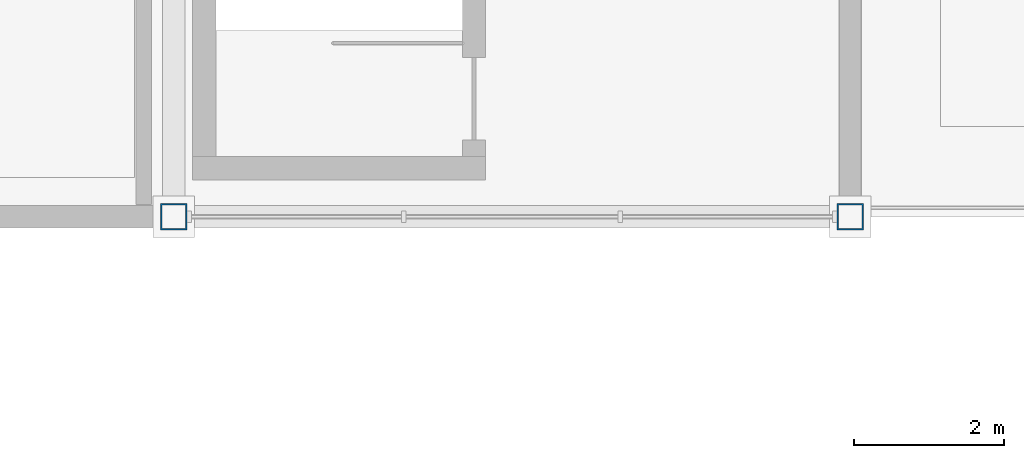
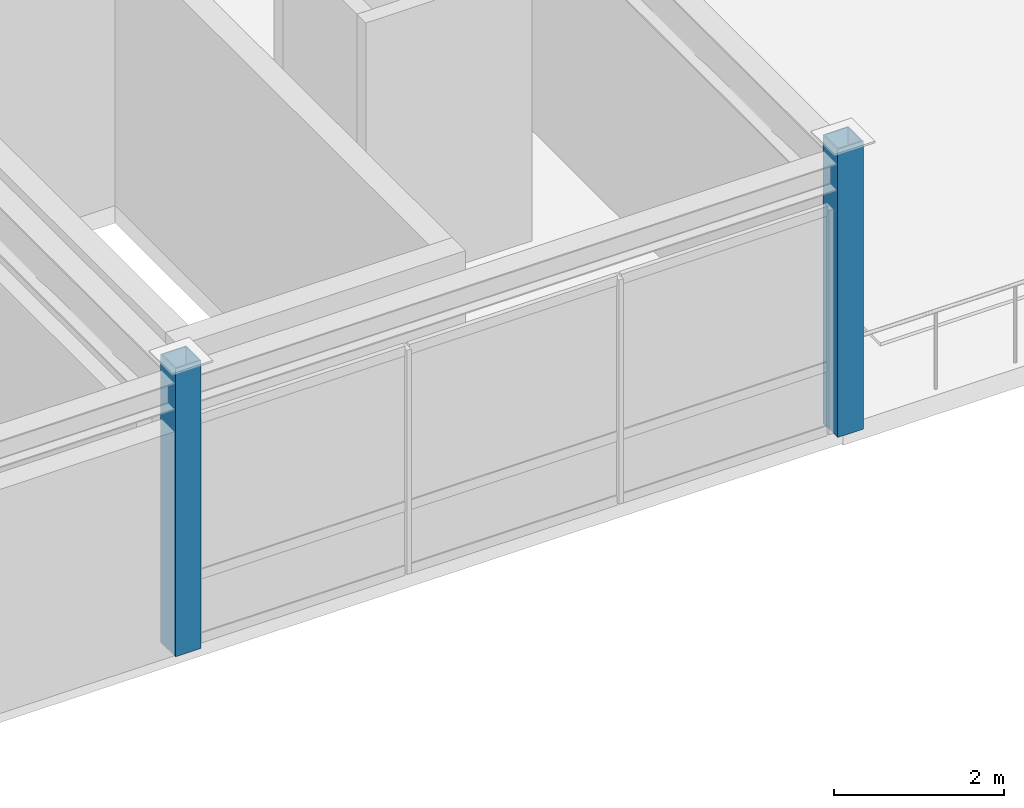
# One storey, part 2 of 40: 2 columns.
"""IFC4 building model written with IfcOpenShell, lengths in metres."""

import ifcopenshell
import ifcopenshell.guid

model = None  # the IFC model being written
_history = None  # IfcOwnerHistory: only IFC2X3 demands one
_inside = {}  # id of a spatial element -> (the spatial element, [elements in it])
_under = {}  # id of a project, library or spatial element -> (it, [spatial elements below it])
_declared = {}  # id of a project -> (the project, [libraries it declares])
_typed = {}  # id of a type object -> (the type object, [elements of that type])
_made_of = {}  # id of a material, layer set ... -> (it, [elements and type objects made of it])


def new_model(schema):
    """Start an empty IFC model of exactly this schema.

    Asked for "IFC4X3", IfcOpenShell would pick the latest addendum, in which some entities
    have other attributes; the version numbers below select the first issue.
    IFC2X3 requires an IfcOwnerHistory on every rooted entity: one is made here for all.
    """
    global model, _history
    if schema == "IFC4X3":
        model = ifcopenshell.file(schema_version=(4, 3, 0, 0))
    else:
        model = ifcopenshell.file(schema=schema)
    _inside.clear()
    _under.clear()
    _declared.clear()
    _typed.clear()
    _made_of.clear()
    _history = None
    if model.schema == "IFC2X3":
        org = make("IfcOrganization", Name="unknown")
        user = make(
            "IfcPersonAndOrganization",
            ThePerson=make("IfcPerson", FamilyName="unknown"),
            TheOrganization=org,
        )
        app = make(
            "IfcApplication",
            ApplicationDeveloper=org,
            Version="unknown",
            ApplicationFullName="unknown",
            ApplicationIdentifier="unknown",
        )
        _history = make(
            "IfcOwnerHistory",
            OwningUser=user,
            OwningApplication=app,
            ChangeAction="ADDED",
            CreationDate=0,
        )
    return model


def make(cls, **values):
    """One entity of the class cls with the attributes given. An attribute that is None is left unset."""
    return model.create_entity(
        cls, **{name: value for name, value in values.items() if value is not None}
    )


def rooted(cls, **values):
    """An entity with a GlobalId (a new one), such as an element, a storey or a relation."""
    return make(cls, GlobalId=ifcopenshell.guid.new(), OwnerHistory=_history, **values)


def si_unit(unit_type, name, prefix=None):
    """IfcSIUnit, for example si_unit("LENGTHUNIT", "METRE", prefix="MILLI")."""
    return make("IfcSIUnit", UnitType=unit_type, Prefix=prefix, Name=name)


def assignment(units):
    """IfcUnitAssignment: the units of a project."""
    return None if units is None else make("IfcUnitAssignment", Units=units)


def point(xyz):
    """IfcCartesianPoint."""
    return None if xyz is None else make("IfcCartesianPoint", Coordinates=xyz)


def direction(xyz):
    """IfcDirection."""
    return None if xyz is None else make("IfcDirection", DirectionRatios=xyz)


def frame(location, z_axis=None, x_axis=None):
    """IfcAxis2Placement3D, a coordinate frame: its origin and axes. An axis left out is left unset."""
    return make(
        "IfcAxis2Placement3D",
        Location=point(location),
        Axis=direction(z_axis),
        RefDirection=direction(x_axis),
    )


def frame_2d(location, x_axis=None):
    """IfcAxis2Placement2D, a coordinate frame in the plane: its origin and x axis."""
    return make(
        "IfcAxis2Placement2D", Location=point(location), RefDirection=direction(x_axis)
    )


def origin():
    """The frame at (0, 0, 0) with its axes left unset."""
    return frame((0.0, 0.0, 0.0))


def origin_2d():
    """The frame at (0, 0) in the plane with its x axis left unset."""
    return frame_2d((0.0, 0.0))


def place(relative_to, where):
    """IfcLocalPlacement: puts the frame where relative to a parent placement (None: the world)."""
    return make(
        "IfcLocalPlacement", PlacementRelTo=relative_to, RelativePlacement=where
    )


def context(
    kind, dimensions, precision=None, world=None, true_north=None, identifier=None
):
    """IfcGeometricRepresentationContext, for example the 3D "Model" context."""
    return make(
        "IfcGeometricRepresentationContext",
        ContextIdentifier=identifier,
        ContextType=kind,
        CoordinateSpaceDimension=dimensions,
        Precision=precision,
        WorldCoordinateSystem=world,
        TrueNorth=true_north,
    )


def subcontext(parent, identifier, kind, view, scale=None):
    """IfcGeometricRepresentationSubContext, for example "Body" below "Model"."""
    return make(
        "IfcGeometricRepresentationSubContext",
        ContextIdentifier=identifier,
        ContextType=kind,
        ParentContext=parent,
        TargetScale=scale,
        TargetView=view,
    )


def project(units=None, contexts=None):
    """IfcProject with its units and contexts."""
    return rooted(
        "IfcProject",
        Name="project",
        RepresentationContexts=contexts,
        UnitsInContext=assignment(units),
    )


def spatial(cls, under=None, at=None, **own):
    """A site, building, storey or space (cls), placed at a placement, below another one or the project."""
    s = rooted(cls, ObjectPlacement=at, **own)
    if under is not None:
        _under.setdefault(under.id(), (under, []))[1].append(s)
    return s


def profile(cls, at=None, kind="AREA", **sizes):
    """A parametric profile (cls). Its sizes go by their IFC names, for example OverallWidth=200.0."""
    return make(cls, ProfileType=kind, Position=at, **sizes)


def hollow_rectangle(**sizes):
    """IfcRectangleHollowProfileDef."""
    return profile("IfcRectangleHollowProfileDef", **sizes)


def extrude(swept, where, along, depth):
    """IfcExtrudedAreaSolid: the profile swept, set in the frame where, extruded along a direction by depth."""
    return make(
        "IfcExtrudedAreaSolid",
        SweptArea=swept,
        Position=where,
        ExtrudedDirection=direction(along),
        Depth=depth,
    )


def shape(context_of_items, identifier, shape_type, items):
    """IfcShapeRepresentation: the items that make up one representation, for example the "Body"."""
    return make(
        "IfcShapeRepresentation",
        ContextOfItems=context_of_items,
        RepresentationIdentifier=identifier,
        RepresentationType=shape_type,
        Items=items,
    )


def material(Name=None, Category=None):
    """IfcMaterial."""
    return make("IfcMaterial", Name=Name, Category=Category)


def material_profile(
    of_material, cross_section, Name=None, Category=None, Priority=None
):
    """IfcMaterialProfile: a cross section and its material."""
    return make(
        "IfcMaterialProfile",
        Name=Name,
        Material=of_material,
        Profile=cross_section,
        Priority=Priority,
        Category=Category,
    )


def profile_set(profiles, Name=None, composite=None):
    """IfcMaterialProfileSet."""
    return make(
        "IfcMaterialProfileSet",
        Name=Name,
        MaterialProfiles=profiles,
        CompositeProfile=composite,
    )


def made_of(thing, what):
    """Note that an element or type object is made of a material, layer set ...; save() writes the relation."""
    if what is not None:
        _made_of.setdefault(what.id(), (what, []))[1].append(thing)
    return thing


def type_object(cls, material=None, **own):
    """A type object (cls), such as IfcWallType, which elements share."""
    return made_of(rooted(cls, **own), material)


def element(
    cls,
    number,
    at=None,
    inside=None,
    cuts=None,
    type_object=None,
    material=None,
    context=None,
    identifier="Body",
    shape_type=None,
    held_by="IfcProductDefinitionShape",
    body=None,
    shapes=None,
    **own,
):
    """One element of the class cls, such as IfcWall. Its Tag is "e" and its number.

    at: its placement. inside: the storey or other place that contains it. cuts: it is an
    opening in that element (IfcRelVoidsElement). A single representation is given by context,
    identifier, shape_type and body (its items); several are given by shapes. held_by: the class
    of the entity that holds the representations. save() writes the other relations.
    """
    e = rooted(cls, Tag="e%d" % number, ObjectPlacement=at, **own)
    if body is not None:
        shapes = [shape(context, identifier, shape_type, body)]
    if shapes is not None:
        e.Representation = make(held_by, Representations=shapes)
    if inside is not None:
        _inside.setdefault(inside.id(), (inside, []))[1].append(e)
    if cuts is not None:
        rooted(
            "IfcRelVoidsElement", RelatingBuildingElement=cuts, RelatedOpeningElement=e
        )
    if type_object is not None:
        _typed.setdefault(type_object.id(), (type_object, []))[1].append(e)
    return made_of(e, material)


def aggregate(whole, parts):
    """IfcRelAggregates: a whole, such as a stair, and the parts it consists of."""
    return rooted("IfcRelAggregates", RelatingObject=whole, RelatedObjects=parts)


def save(model, path):
    """Write the relations noted so far, then the file.

    IfcRelAggregates (storeys below a building ...), IfcRelContainedInSpatialStructure (elements
    in a storey), IfcRelDefinesByType, IfcRelAssociatesMaterial and IfcRelDeclares: one each for
    every whole, place, type object, material and project.
    """
    for whole, parts in _under.values():
        aggregate(whole, parts)
    for where, things in _inside.values():
        rooted(
            "IfcRelContainedInSpatialStructure",
            RelatedElements=things,
            RelatingStructure=where,
        )
    for kind, things in _typed.values():
        rooted("IfcRelDefinesByType", RelatedObjects=things, RelatingType=kind)
    for what, things in _made_of.values():
        rooted("IfcRelAssociatesMaterial", RelatedObjects=things, RelatingMaterial=what)
    for by, libraries in _declared.values():
        rooted("IfcRelDeclares", RelatingContext=by, RelatedDefinitions=libraries)
    model.write(path)


model = new_model("IFC4")

# Units and contexts
model_context = context("Model", 3, precision=1e-05, world=origin(), true_north=direction((0.0, 1.0)))
body_context = subcontext(model_context, "Body", "Model", "MODEL_VIEW")
ifc_project = project(units=[si_unit("LENGTHUNIT", "METRE"), si_unit("AREAUNIT", "SQUARE_METRE"), si_unit("VOLUMEUNIT", "CUBIC_METRE"), si_unit("PLANEANGLEUNIT", "RADIAN"), si_unit("MASSUNIT", "GRAM", prefix="KILO")], contexts=[model_context])

# Site, building, storey
site_placement = place(None, origin())
site = spatial("IfcSite", under=ifc_project, at=site_placement, CompositionType="ELEMENT")
building_placement = place(site_placement, origin())
building = spatial("IfcBuilding", under=site, at=building_placement, Name="Suzunagisa Mobility Hub", CompositionType="ELEMENT")
storey_placement = place(building_placement, frame((0.0, 0.0, 21.89990234375)))
storey = spatial("IfcBuildingStorey", under=building, at=storey_placement, Name="L05", CompositionType="ELEMENT", Elevation=21.89990234375)

# Columns
ifc_material = material(Name="Steel SN490B", Category="steel")
ifc_material_profile = material_profile(ifc_material, hollow_rectangle(XDim=0.35009765625, YDim=0.35009765625, WallThickness=0.01611328125, at=origin_2d()), Name="BCR-350x350x16")
ifc_profile_set = profile_set([ifc_material_profile], Name="Steel SN490B")
column_type = type_object("IfcColumnType", Name="Steel Column CL-04 BCR-350x350x16", PredefinedType="COLUMN", material=ifc_profile_set)
for number, where, z_axis, x_axis, name in (
    (1, (90.0, 80.0, 0.0), (0.0, 0.0, 1.0), (1.0, 0.0, 0.0), "L05 Column 186"),
    (2, (99.0, 80.0, 0.0), (0.0, 0.0, 1.0), (1.0, 0.0, 0.0), "L05 Column 195"),
):
    element("IfcColumn", number, at=place(storey_placement, frame(where, z_axis=z_axis, x_axis=x_axis)), inside=storey, type_object=column_type, Name=name, PredefinedType="COLUMN", context=body_context, shape_type="SweptSolid", body=[
        extrude(hollow_rectangle(XDim=0.35009765625, YDim=0.35009765625, WallThickness=0.01611328125, at=origin_2d()), origin(), (0.0, 0.0, 1.0), 4.14013671875),
    ])

save(model, "model.ifc")
